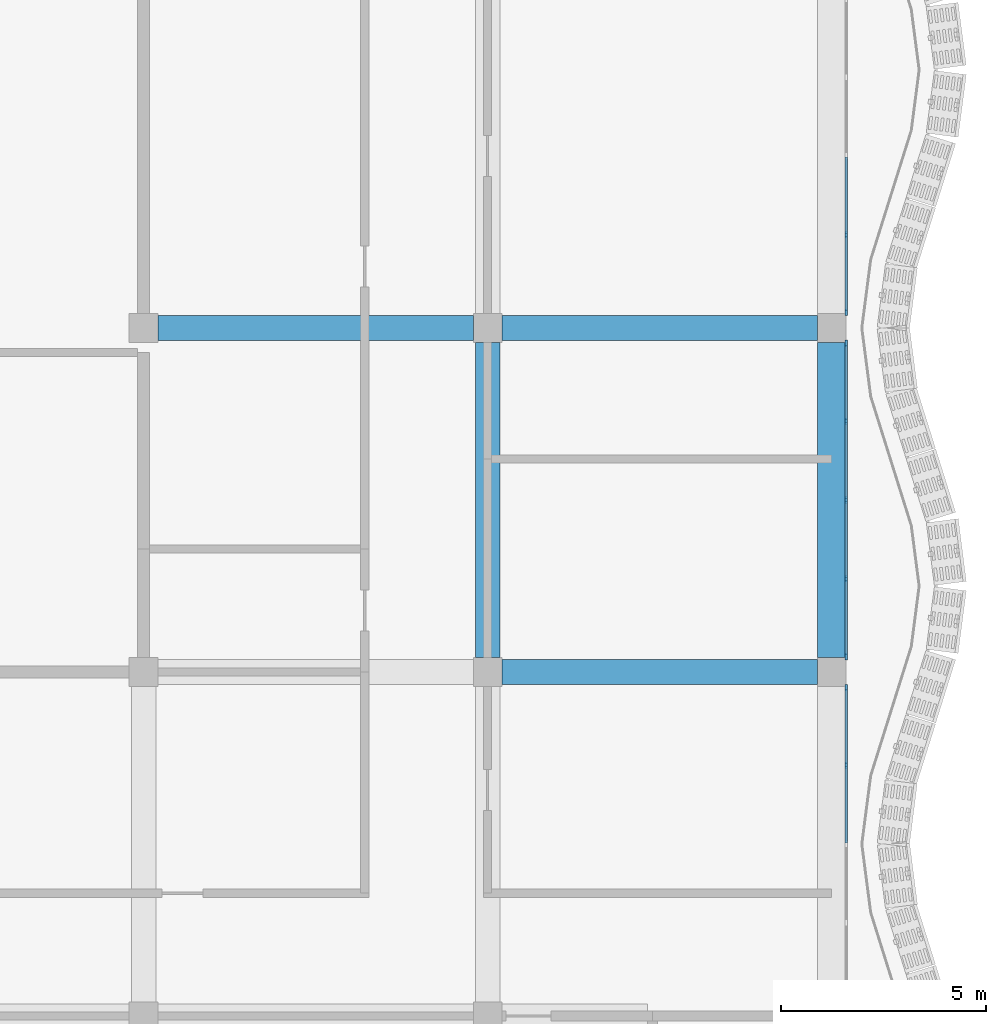
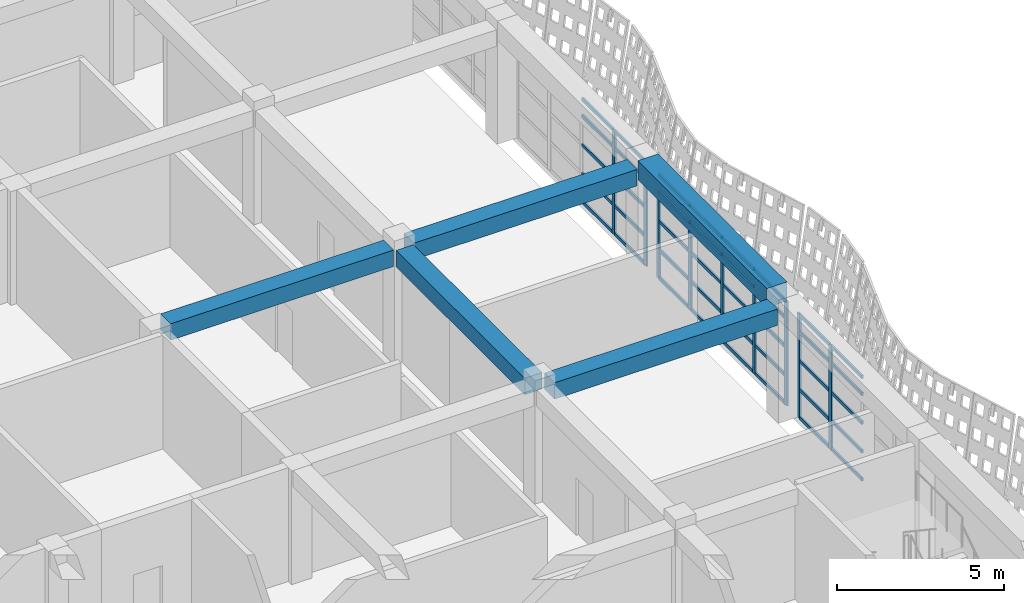
# One storey, part 7 of 163: 49 members, 5 beams, 3 elements without a shape of their own.
"""IFC4 building model written with IfcOpenShell, lengths in metres."""

from ifc_helpers import new_model, si_unit, direction, frame, origin, origin_2d, place, context, subcontext, project, spatial, rectangle, extrude, material, material_profile, profile_set, type_object, element, aggregate, save


model = new_model("IFC4")

# Units and contexts
model_context = context("Model", 3, precision=1e-05, world=origin(), true_north=direction((0.0, 1.0)))
body_context = subcontext(model_context, "Body", "Model", "MODEL_VIEW")
ifc_project = project(units=[si_unit("LENGTHUNIT", "METRE"), si_unit("AREAUNIT", "SQUARE_METRE"), si_unit("VOLUMEUNIT", "CUBIC_METRE"), si_unit("PLANEANGLEUNIT", "RADIAN"), si_unit("MASSUNIT", "GRAM", prefix="KILO")], contexts=[model_context])

# Site, building, storey
site_placement = place(None, origin())
site = spatial("IfcSite", under=ifc_project, at=site_placement, CompositionType="ELEMENT")
building_placement = place(site_placement, origin())
building = spatial("IfcBuilding", under=site, at=building_placement, Name="Rain Tree Exposition and Congress Centre", CompositionType="ELEMENT")
storey_placement = place(building_placement, frame((0.0, 0.0, 10.5)))
storey = spatial("IfcBuildingStorey", under=building, at=storey_placement, Name="L02", CompositionType="ELEMENT", Elevation=10.5)

# Beams
ifc_material_1 = material(Name="Precast concrete C50/60", Category="concrete")
ifc_material_profile_1 = material_profile(ifc_material_1, rectangle(XDim=0.60009765625, YDim=0.60009765625, at=origin_2d()), Name="RC 600x600")
ifc_profile_set_1 = profile_set([ifc_material_profile_1], Name="Precast concrete C50/60")
beam_type_1 = type_object("IfcBeamType", Name="Precast beam 600x600", PredefinedType="BEAM", material=ifc_profile_set_1)
for number, where, z_axis, x_axis, name in (
    (1, (42.35009765625, 16.800048828125, 3.85009765625), (1.0, 0.0, 0.0), (0.0, 1.0, 0.0), "wing/beam/L02/L03/031"),
    (2, (33.949951171875, 25.199951171875, 3.85009765625), (1.0, 0.0, 0.0), (0.0, 1.0, 0.0), "wing/beam/L02/L03/037"),
    (3, (42.35009765625, 25.199951171875, 3.85009765625), (1.0, 0.0, 0.0), (0.0, 1.0, 0.0), "wing/beam/L02/L03/039"),
):
    element("IfcBeam", number, at=place(storey_placement, frame(where, z_axis=z_axis, x_axis=x_axis)), inside=storey, type_object=beam_type_1, Name=name, PredefinedType="BEAM", context=body_context, shape_type="SweptSolid", body=[
        extrude(rectangle(XDim=0.60009765625, YDim=0.60009765625, at=origin_2d()), origin(), (0.0, 0.0, 1.0), 7.699951171875),
    ])
beam_1_placement = place(storey_placement, frame((42.0, 17.14990234375, 3.85009765625), z_axis=(0.0, 1.0, 0.0), x_axis=(-1.0, 0.0, 0.0)))
element("IfcBeam", 4, at=beam_1_placement, inside=storey, type_object=beam_type_1, Name="wing/beam/L02/L03/054", PredefinedType="BEAM", context=body_context, shape_type="SweptSolid", body=[
    extrude(rectangle(XDim=0.60009765625, YDim=0.60009765625, at=origin_2d()), origin(), (0.0, 0.0, 1.0), 7.7001953125),
])
ifc_material_2 = material(Name="Precast concrete C50/60", Category="concrete")
ifc_material_profile_2 = material_profile(ifc_material_2, rectangle(XDim=0.699951171875, YDim=0.699951171875, at=origin_2d()), Name="RC 700x700")
ifc_profile_set_2 = profile_set([ifc_material_profile_2], Name="Precast concrete C50/60")
beam_type_2 = type_object("IfcBeamType", Name="Precast spandrel beam 700x700", PredefinedType="SPANDREL", material=ifc_profile_set_2)
beam_2_placement = place(storey_placement, frame((50.39990234375, 17.14990234375, 4.14990234375), z_axis=(0.0, 1.0, 0.0), x_axis=(-1.0, 0.0, 0.0)))
element("IfcBeam", 5, at=beam_2_placement, inside=storey, type_object=beam_type_2, Name="wing/beam/L02/L03/066", PredefinedType="SPANDREL", context=body_context, shape_type="SweptSolid", body=[
    extrude(rectangle(XDim=0.699951171875, YDim=0.699951171875, at=origin_2d()), origin(), (0.0, 0.0, 1.0), 7.7001953125),
])

# Curtain wall, members
ifc_material_3 = material(Name="Aluminium curtain wall", Category="aluminium")
curtain_wall_type = type_object("IfcCurtainWallType", Name="Wing curtain wall 1925", PredefinedType="NOTDEFINED", material=ifc_material_3)
curtain_wall_1_placement = place(storey_placement, origin())
curtain_wall_1 = element("IfcCurtainWall", 6, at=curtain_wall_1_placement, inside=storey, type_object=curtain_wall_type, Name="Curtain wall CWW312", PredefinedType="NOTDEFINED")
ifc_material_4 = material(Name="Aluminium", Category="aluminium")
ifc_material_profile_3 = material_profile(ifc_material_4, rectangle(XDim=0.06005859375, YDim=0.159912109375, at=origin_2d()), Name="Aluminium 60x160")
ifc_profile_set_3 = profile_set([ifc_material_profile_3], Name="Aluminium")
member_type_1 = type_object("IfcMemberType", Name="Wing mullion 60x160", PredefinedType="MULLION", material=ifc_profile_set_3)
member_1_placement = place(storey_placement, frame((50.75, 14.52490234375, 0.0), z_axis=(0.0, 0.0, 1.0), x_axis=(-1.0, 0.0, 0.0)))
member_1 = element("IfcMember", 7, at=member_1_placement, type_object=member_type_1, Name="CWW312 mullion 4", PredefinedType="MULLION", context=body_context, shape_type="SweptSolid", body=[
    extrude(rectangle(XDim=0.06005859375, YDim=0.159912109375, at=origin_2d()), origin(), (0.0, 0.0, 1.0), 3.800048828125),
])
member_2_placement = place(storey_placement, frame((50.75, 16.419921875, 0.0), z_axis=(0.0, 0.0, 1.0), x_axis=(-1.0, 0.0, 0.0)))
member_2 = element("IfcMember", 8, at=member_2_placement, type_object=member_type_1, Name="CWW312 mullion 5", PredefinedType="MULLION", context=body_context, shape_type="SweptSolid", body=[
    extrude(rectangle(XDim=0.06005859375, YDim=0.159912109375, at=origin_2d()), origin(), (0.0, 0.0, 1.0), 3.800048828125),
])

curtain_wall_2_placement = place(storey_placement, origin())
curtain_wall_2 = element("IfcCurtainWall", 9, at=curtain_wall_2_placement, inside=storey, type_object=curtain_wall_type, Name="Curtain wall CWW313", PredefinedType="NOTDEFINED")
member_3_placement = place(storey_placement, frame((50.75, 17.179931640625, 0.0), z_axis=(0.0, 0.0, 1.0), x_axis=(-1.0, 0.0, 0.0)))
member_3 = element("IfcMember", 10, at=member_3_placement, type_object=member_type_1, Name="CWW313 mullion 1", PredefinedType="MULLION", context=body_context, shape_type="SweptSolid", body=[
    extrude(rectangle(XDim=0.06005859375, YDim=0.159912109375, at=origin_2d()), origin(), (0.0, 0.0, 1.0), 3.800048828125),
])
member_4_placement = place(storey_placement, frame((50.75, 19.074951171875, 0.0), z_axis=(0.0, 0.0, 1.0), x_axis=(-1.0, 0.0, 0.0)))
member_4 = element("IfcMember", 11, at=member_4_placement, type_object=member_type_1, Name="CWW313 mullion 2", PredefinedType="MULLION", context=body_context, shape_type="SweptSolid", body=[
    extrude(rectangle(XDim=0.06005859375, YDim=0.159912109375, at=origin_2d()), origin(), (0.0, 0.0, 1.0), 3.800048828125),
])
member_5_placement = place(storey_placement, frame((50.75, 21.0, 0.0), z_axis=(0.0, 0.0, 1.0), x_axis=(-1.0, 0.0, 0.0)))
member_5 = element("IfcMember", 12, at=member_5_placement, type_object=member_type_1, Name="CWW313 mullion 3", PredefinedType="MULLION", context=body_context, shape_type="SweptSolid", body=[
    extrude(rectangle(XDim=0.06005859375, YDim=0.159912109375, at=origin_2d()), origin(), (0.0, 0.0, 1.0), 3.800048828125),
])
member_6_placement = place(storey_placement, frame((50.75, 22.925048828125, 0.0), z_axis=(0.0, 0.0, 1.0), x_axis=(-1.0, 0.0, 0.0)))
member_6 = element("IfcMember", 13, at=member_6_placement, type_object=member_type_1, Name="CWW313 mullion 4", PredefinedType="MULLION", context=body_context, shape_type="SweptSolid", body=[
    extrude(rectangle(XDim=0.06005859375, YDim=0.159912109375, at=origin_2d()), origin(), (0.0, 0.0, 1.0), 3.800048828125),
])
member_7_placement = place(storey_placement, frame((50.75, 24.820068359375, 0.0), z_axis=(0.0, 0.0, 1.0), x_axis=(-1.0, 0.0, 0.0)))
member_7 = element("IfcMember", 14, at=member_7_placement, type_object=member_type_1, Name="CWW313 mullion 5", PredefinedType="MULLION", context=body_context, shape_type="SweptSolid", body=[
    extrude(rectangle(XDim=0.06005859375, YDim=0.159912109375, at=origin_2d()), origin(), (0.0, 0.0, 1.0), 3.800048828125),
])

curtain_wall_3_placement = place(storey_placement, origin())
curtain_wall_3 = element("IfcCurtainWall", 15, at=curtain_wall_3_placement, inside=storey, type_object=curtain_wall_type, Name="Curtain wall CWW314", PredefinedType="NOTDEFINED")
member_8_placement = place(storey_placement, frame((50.75, 25.580078125, 0.0), z_axis=(0.0, 0.0, 1.0), x_axis=(-1.0, 0.0, 0.0)))
member_8 = element("IfcMember", 16, at=member_8_placement, type_object=member_type_1, Name="CWW314 mullion 1", PredefinedType="MULLION", context=body_context, shape_type="SweptSolid", body=[
    extrude(rectangle(XDim=0.06005859375, YDim=0.159912109375, at=origin_2d()), origin(), (0.0, 0.0, 1.0), 3.800048828125),
])
member_9_placement = place(storey_placement, frame((50.75, 27.47509765625, 0.0), z_axis=(0.0, 0.0, 1.0), x_axis=(-1.0, 0.0, 0.0)))
member_9 = element("IfcMember", 17, at=member_9_placement, type_object=member_type_1, Name="CWW314 mullion 2", PredefinedType="MULLION", context=body_context, shape_type="SweptSolid", body=[
    extrude(rectangle(XDim=0.06005859375, YDim=0.159912109375, at=origin_2d()), origin(), (0.0, 0.0, 1.0), 3.800048828125),
])

# Member
ifc_material_5 = material(Name="Aluminium", Category="aluminium")
ifc_material_profile_4 = material_profile(ifc_material_5, rectangle(XDim=0.06005859375, YDim=0.1201171875, at=origin_2d()), Name="Aluminium 60x120")
ifc_profile_set_4 = profile_set([ifc_material_profile_4], Name="Aluminium")
member_type_2 = type_object("IfcMemberType", Name="Wing transom 60x120", PredefinedType="USERDEFINED", material=ifc_profile_set_4)
member_10_placement = place(storey_placement, frame((50.75, 12.6298828125, 0.030029296875), z_axis=(0.0, 1.0, 0.0), x_axis=(-1.0, 0.0, 0.0)))
member_10 = element("IfcMember", 18, at=member_10_placement, type_object=member_type_2, Name="CWW312 transom 3.1", ObjectType="TRANSOM", PredefinedType="USERDEFINED", context=body_context, shape_type="SweptSolid", body=[
    extrude(rectangle(XDim=0.06005859375, YDim=0.1201171875, at=origin_2d()), origin(), (0.0, 0.0, 1.0), 1.865234375),
])

member_11_placement = place(storey_placement, frame((50.75, 12.6298828125, 1.050048828125), z_axis=(0.0, 1.0, 0.0), x_axis=(-1.0, 0.0, 0.0)))
member_11 = element("IfcMember", 19, at=member_11_placement, type_object=member_type_2, Name="CWW312 transom 3.2", ObjectType="TRANSOM", PredefinedType="USERDEFINED", context=body_context, shape_type="SweptSolid", body=[
    extrude(rectangle(XDim=0.06005859375, YDim=0.1201171875, at=origin_2d()), origin(), (0.0, 0.0, 1.0), 1.865234375),
])

member_12_placement = place(storey_placement, frame((50.75, 12.6298828125, 2.10009765625), z_axis=(0.0, 1.0, 0.0), x_axis=(-1.0, 0.0, 0.0)))
member_12 = element("IfcMember", 20, at=member_12_placement, type_object=member_type_2, Name="CWW312 transom 3.3", ObjectType="TRANSOM", PredefinedType="USERDEFINED", context=body_context, shape_type="SweptSolid", body=[
    extrude(rectangle(XDim=0.06005859375, YDim=0.1201171875, at=origin_2d()), origin(), (0.0, 0.0, 1.0), 1.865234375),
])

member_13_placement = place(storey_placement, frame((50.75, 12.6298828125, 3.14990234375), z_axis=(0.0, 1.0, 0.0), x_axis=(-1.0, 0.0, 0.0)))
member_13 = element("IfcMember", 21, at=member_13_placement, type_object=member_type_2, Name="CWW312 transom 3.4", ObjectType="TRANSOM", PredefinedType="USERDEFINED", context=body_context, shape_type="SweptSolid", body=[
    extrude(rectangle(XDim=0.06005859375, YDim=0.1201171875, at=origin_2d()), origin(), (0.0, 0.0, 1.0), 1.865234375),
])

member_14_placement = place(storey_placement, frame((50.75, 12.6298828125, 3.77001953125), z_axis=(0.0, 1.0, 0.0), x_axis=(-1.0, 0.0, 0.0)))
member_14 = element("IfcMember", 22, at=member_14_placement, type_object=member_type_2, Name="CWW312 transom 3.5", ObjectType="TRANSOM", PredefinedType="USERDEFINED", context=body_context, shape_type="SweptSolid", body=[
    extrude(rectangle(XDim=0.06005859375, YDim=0.1201171875, at=origin_2d()), origin(), (0.0, 0.0, 1.0), 1.865234375),
])

member_15_placement = place(storey_placement, frame((50.75, 14.554931640625, 0.030029296875), z_axis=(0.0, 1.0, 0.0), x_axis=(-1.0, 0.0, 0.0)))
member_15 = element("IfcMember", 23, at=member_15_placement, type_object=member_type_2, Name="CWW312 transom 4.1", ObjectType="TRANSOM", PredefinedType="USERDEFINED", context=body_context, shape_type="SweptSolid", body=[
    extrude(rectangle(XDim=0.06005859375, YDim=0.1201171875, at=origin_2d()), origin(), (0.0, 0.0, 1.0), 1.8349609375),
])

member_16_placement = place(storey_placement, frame((50.75, 14.554931640625, 1.050048828125), z_axis=(0.0, 1.0, 0.0), x_axis=(-1.0, 0.0, 0.0)))
member_16 = element("IfcMember", 24, at=member_16_placement, type_object=member_type_2, Name="CWW312 transom 4.2", ObjectType="TRANSOM", PredefinedType="USERDEFINED", context=body_context, shape_type="SweptSolid", body=[
    extrude(rectangle(XDim=0.06005859375, YDim=0.1201171875, at=origin_2d()), origin(), (0.0, 0.0, 1.0), 1.8349609375),
])

member_17_placement = place(storey_placement, frame((50.75, 14.554931640625, 2.10009765625), z_axis=(0.0, 1.0, 0.0), x_axis=(-1.0, 0.0, 0.0)))
member_17 = element("IfcMember", 25, at=member_17_placement, type_object=member_type_2, Name="CWW312 transom 4.3", ObjectType="TRANSOM", PredefinedType="USERDEFINED", context=body_context, shape_type="SweptSolid", body=[
    extrude(rectangle(XDim=0.06005859375, YDim=0.1201171875, at=origin_2d()), origin(), (0.0, 0.0, 1.0), 1.8349609375),
])

member_18_placement = place(storey_placement, frame((50.75, 14.554931640625, 3.14990234375), z_axis=(0.0, 1.0, 0.0), x_axis=(-1.0, 0.0, 0.0)))
member_18 = element("IfcMember", 26, at=member_18_placement, type_object=member_type_2, Name="CWW312 transom 4.4", ObjectType="TRANSOM", PredefinedType="USERDEFINED", context=body_context, shape_type="SweptSolid", body=[
    extrude(rectangle(XDim=0.06005859375, YDim=0.1201171875, at=origin_2d()), origin(), (0.0, 0.0, 1.0), 1.8349609375),
])

member_19_placement = place(storey_placement, frame((50.75, 14.554931640625, 3.77001953125), z_axis=(0.0, 1.0, 0.0), x_axis=(-1.0, 0.0, 0.0)))
member_19 = element("IfcMember", 27, at=member_19_placement, type_object=member_type_2, Name="CWW312 transom 4.5", ObjectType="TRANSOM", PredefinedType="USERDEFINED", context=body_context, shape_type="SweptSolid", body=[
    extrude(rectangle(XDim=0.06005859375, YDim=0.1201171875, at=origin_2d()), origin(), (0.0, 0.0, 1.0), 1.8349609375),
])

aggregate(curtain_wall_1, [member_1, member_2, member_10, member_11, member_12, member_13, member_14, member_15, member_16, member_17, member_18, member_19])

member_20_placement = place(storey_placement, frame((50.75, 17.2099609375, 0.030029296875), z_axis=(0.0, 1.0, 0.0), x_axis=(-1.0, 0.0, 0.0)))
member_20 = element("IfcMember", 28, at=member_20_placement, type_object=member_type_2, Name="CWW313 transom 1.1", ObjectType="TRANSOM", PredefinedType="USERDEFINED", context=body_context, shape_type="SweptSolid", body=[
    extrude(rectangle(XDim=0.06005859375, YDim=0.1201171875, at=origin_2d()), origin(), (0.0, 0.0, 1.0), 1.8349609375),
])

member_21_placement = place(storey_placement, frame((50.75, 17.2099609375, 1.050048828125), z_axis=(0.0, 1.0, 0.0), x_axis=(-1.0, 0.0, 0.0)))
member_21 = element("IfcMember", 29, at=member_21_placement, type_object=member_type_2, Name="CWW313 transom 1.2", ObjectType="TRANSOM", PredefinedType="USERDEFINED", context=body_context, shape_type="SweptSolid", body=[
    extrude(rectangle(XDim=0.06005859375, YDim=0.1201171875, at=origin_2d()), origin(), (0.0, 0.0, 1.0), 1.8349609375),
])

member_22_placement = place(storey_placement, frame((50.75, 17.2099609375, 2.10009765625), z_axis=(0.0, 1.0, 0.0), x_axis=(-1.0, 0.0, 0.0)))
member_22 = element("IfcMember", 30, at=member_22_placement, type_object=member_type_2, Name="CWW313 transom 1.3", ObjectType="TRANSOM", PredefinedType="USERDEFINED", context=body_context, shape_type="SweptSolid", body=[
    extrude(rectangle(XDim=0.06005859375, YDim=0.1201171875, at=origin_2d()), origin(), (0.0, 0.0, 1.0), 1.8349609375),
])

member_23_placement = place(storey_placement, frame((50.75, 17.2099609375, 3.14990234375), z_axis=(0.0, 1.0, 0.0), x_axis=(-1.0, 0.0, 0.0)))
member_23 = element("IfcMember", 31, at=member_23_placement, type_object=member_type_2, Name="CWW313 transom 1.4", ObjectType="TRANSOM", PredefinedType="USERDEFINED", context=body_context, shape_type="SweptSolid", body=[
    extrude(rectangle(XDim=0.06005859375, YDim=0.1201171875, at=origin_2d()), origin(), (0.0, 0.0, 1.0), 1.8349609375),
])

member_24_placement = place(storey_placement, frame((50.75, 17.2099609375, 3.77001953125), z_axis=(0.0, 1.0, 0.0), x_axis=(-1.0, 0.0, 0.0)))
member_24 = element("IfcMember", 32, at=member_24_placement, type_object=member_type_2, Name="CWW313 transom 1.5", ObjectType="TRANSOM", PredefinedType="USERDEFINED", context=body_context, shape_type="SweptSolid", body=[
    extrude(rectangle(XDim=0.06005859375, YDim=0.1201171875, at=origin_2d()), origin(), (0.0, 0.0, 1.0), 1.8349609375),
])

member_25_placement = place(storey_placement, frame((50.75, 19.10498046875, 0.030029296875), z_axis=(0.0, 1.0, 0.0), x_axis=(-1.0, 0.0, 0.0)))
member_25 = element("IfcMember", 33, at=member_25_placement, type_object=member_type_2, Name="CWW313 transom 2.1", ObjectType="TRANSOM", PredefinedType="USERDEFINED", context=body_context, shape_type="SweptSolid", body=[
    extrude(rectangle(XDim=0.06005859375, YDim=0.1201171875, at=origin_2d()), origin(), (0.0, 0.0, 1.0), 1.864990234375),
])

member_26_placement = place(storey_placement, frame((50.75, 19.10498046875, 1.050048828125), z_axis=(0.0, 1.0, 0.0), x_axis=(-1.0, 0.0, 0.0)))
member_26 = element("IfcMember", 34, at=member_26_placement, type_object=member_type_2, Name="CWW313 transom 2.2", ObjectType="TRANSOM", PredefinedType="USERDEFINED", context=body_context, shape_type="SweptSolid", body=[
    extrude(rectangle(XDim=0.06005859375, YDim=0.1201171875, at=origin_2d()), origin(), (0.0, 0.0, 1.0), 1.864990234375),
])

member_27_placement = place(storey_placement, frame((50.75, 19.10498046875, 2.10009765625), z_axis=(0.0, 1.0, 0.0), x_axis=(-1.0, 0.0, 0.0)))
member_27 = element("IfcMember", 35, at=member_27_placement, type_object=member_type_2, Name="CWW313 transom 2.3", ObjectType="TRANSOM", PredefinedType="USERDEFINED", context=body_context, shape_type="SweptSolid", body=[
    extrude(rectangle(XDim=0.06005859375, YDim=0.1201171875, at=origin_2d()), origin(), (0.0, 0.0, 1.0), 1.864990234375),
])

member_28_placement = place(storey_placement, frame((50.75, 19.10498046875, 3.14990234375), z_axis=(0.0, 1.0, 0.0), x_axis=(-1.0, 0.0, 0.0)))
member_28 = element("IfcMember", 36, at=member_28_placement, type_object=member_type_2, Name="CWW313 transom 2.4", ObjectType="TRANSOM", PredefinedType="USERDEFINED", context=body_context, shape_type="SweptSolid", body=[
    extrude(rectangle(XDim=0.06005859375, YDim=0.1201171875, at=origin_2d()), origin(), (0.0, 0.0, 1.0), 1.864990234375),
])

member_29_placement = place(storey_placement, frame((50.75, 19.10498046875, 3.77001953125), z_axis=(0.0, 1.0, 0.0), x_axis=(-1.0, 0.0, 0.0)))
member_29 = element("IfcMember", 37, at=member_29_placement, type_object=member_type_2, Name="CWW313 transom 2.5", ObjectType="TRANSOM", PredefinedType="USERDEFINED", context=body_context, shape_type="SweptSolid", body=[
    extrude(rectangle(XDim=0.06005859375, YDim=0.1201171875, at=origin_2d()), origin(), (0.0, 0.0, 1.0), 1.864990234375),
])

member_30_placement = place(storey_placement, frame((50.75, 21.030029296875, 0.030029296875), z_axis=(0.0, 1.0, 0.0), x_axis=(-1.0, 0.0, 0.0)))
member_30 = element("IfcMember", 38, at=member_30_placement, type_object=member_type_2, Name="CWW313 transom 3.1", ObjectType="TRANSOM", PredefinedType="USERDEFINED", context=body_context, shape_type="SweptSolid", body=[
    extrude(rectangle(XDim=0.06005859375, YDim=0.1201171875, at=origin_2d()), origin(), (0.0, 0.0, 1.0), 1.864990234375),
])

member_31_placement = place(storey_placement, frame((50.75, 21.030029296875, 1.050048828125), z_axis=(0.0, 1.0, 0.0), x_axis=(-1.0, 0.0, 0.0)))
member_31 = element("IfcMember", 39, at=member_31_placement, type_object=member_type_2, Name="CWW313 transom 3.2", ObjectType="TRANSOM", PredefinedType="USERDEFINED", context=body_context, shape_type="SweptSolid", body=[
    extrude(rectangle(XDim=0.06005859375, YDim=0.1201171875, at=origin_2d()), origin(), (0.0, 0.0, 1.0), 1.864990234375),
])

member_32_placement = place(storey_placement, frame((50.75, 21.030029296875, 2.10009765625), z_axis=(0.0, 1.0, 0.0), x_axis=(-1.0, 0.0, 0.0)))
member_32 = element("IfcMember", 40, at=member_32_placement, type_object=member_type_2, Name="CWW313 transom 3.3", ObjectType="TRANSOM", PredefinedType="USERDEFINED", context=body_context, shape_type="SweptSolid", body=[
    extrude(rectangle(XDim=0.06005859375, YDim=0.1201171875, at=origin_2d()), origin(), (0.0, 0.0, 1.0), 1.864990234375),
])

member_33_placement = place(storey_placement, frame((50.75, 21.030029296875, 3.14990234375), z_axis=(0.0, 1.0, 0.0), x_axis=(-1.0, 0.0, 0.0)))
member_33 = element("IfcMember", 41, at=member_33_placement, type_object=member_type_2, Name="CWW313 transom 3.4", ObjectType="TRANSOM", PredefinedType="USERDEFINED", context=body_context, shape_type="SweptSolid", body=[
    extrude(rectangle(XDim=0.06005859375, YDim=0.1201171875, at=origin_2d()), origin(), (0.0, 0.0, 1.0), 1.864990234375),
])

member_34_placement = place(storey_placement, frame((50.75, 21.030029296875, 3.77001953125), z_axis=(0.0, 1.0, 0.0), x_axis=(-1.0, 0.0, 0.0)))
member_34 = element("IfcMember", 42, at=member_34_placement, type_object=member_type_2, Name="CWW313 transom 3.5", ObjectType="TRANSOM", PredefinedType="USERDEFINED", context=body_context, shape_type="SweptSolid", body=[
    extrude(rectangle(XDim=0.06005859375, YDim=0.1201171875, at=origin_2d()), origin(), (0.0, 0.0, 1.0), 1.864990234375),
])

member_35_placement = place(storey_placement, frame((50.75, 22.955078125, 0.030029296875), z_axis=(0.0, 1.0, 0.0), x_axis=(-1.0, 0.0, 0.0)))
member_35 = element("IfcMember", 43, at=member_35_placement, type_object=member_type_2, Name="CWW313 transom 4.1", ObjectType="TRANSOM", PredefinedType="USERDEFINED", context=body_context, shape_type="SweptSolid", body=[
    extrude(rectangle(XDim=0.06005859375, YDim=0.1201171875, at=origin_2d()), origin(), (0.0, 0.0, 1.0), 1.8349609375),
])

member_36_placement = place(storey_placement, frame((50.75, 22.955078125, 1.050048828125), z_axis=(0.0, 1.0, 0.0), x_axis=(-1.0, 0.0, 0.0)))
member_36 = element("IfcMember", 44, at=member_36_placement, type_object=member_type_2, Name="CWW313 transom 4.2", ObjectType="TRANSOM", PredefinedType="USERDEFINED", context=body_context, shape_type="SweptSolid", body=[
    extrude(rectangle(XDim=0.06005859375, YDim=0.1201171875, at=origin_2d()), origin(), (0.0, 0.0, 1.0), 1.8349609375),
])

member_37_placement = place(storey_placement, frame((50.75, 22.955078125, 2.10009765625), z_axis=(0.0, 1.0, 0.0), x_axis=(-1.0, 0.0, 0.0)))
member_37 = element("IfcMember", 45, at=member_37_placement, type_object=member_type_2, Name="CWW313 transom 4.3", ObjectType="TRANSOM", PredefinedType="USERDEFINED", context=body_context, shape_type="SweptSolid", body=[
    extrude(rectangle(XDim=0.06005859375, YDim=0.1201171875, at=origin_2d()), origin(), (0.0, 0.0, 1.0), 1.8349609375),
])

member_38_placement = place(storey_placement, frame((50.75, 22.955078125, 3.14990234375), z_axis=(0.0, 1.0, 0.0), x_axis=(-1.0, 0.0, 0.0)))
member_38 = element("IfcMember", 46, at=member_38_placement, type_object=member_type_2, Name="CWW313 transom 4.4", ObjectType="TRANSOM", PredefinedType="USERDEFINED", context=body_context, shape_type="SweptSolid", body=[
    extrude(rectangle(XDim=0.06005859375, YDim=0.1201171875, at=origin_2d()), origin(), (0.0, 0.0, 1.0), 1.8349609375),
])

member_39_placement = place(storey_placement, frame((50.75, 22.955078125, 3.77001953125), z_axis=(0.0, 1.0, 0.0), x_axis=(-1.0, 0.0, 0.0)))
member_39 = element("IfcMember", 47, at=member_39_placement, type_object=member_type_2, Name="CWW313 transom 4.5", ObjectType="TRANSOM", PredefinedType="USERDEFINED", context=body_context, shape_type="SweptSolid", body=[
    extrude(rectangle(XDim=0.06005859375, YDim=0.1201171875, at=origin_2d()), origin(), (0.0, 0.0, 1.0), 1.8349609375),
])

aggregate(curtain_wall_2, [member_3, member_4, member_5, member_6, member_7, member_20, member_21, member_22, member_23, member_24, member_25, member_26, member_27, member_28, member_29, member_30, member_31, member_32, member_33, member_34, member_35, member_36, member_37, member_38, member_39])

member_40_placement = place(storey_placement, frame((50.75, 25.610107421875, 0.030029296875), z_axis=(0.0, 1.0, 0.0), x_axis=(-1.0, 0.0, 0.0)))
member_40 = element("IfcMember", 48, at=member_40_placement, type_object=member_type_2, Name="CWW314 transom 1.1", ObjectType="TRANSOM", PredefinedType="USERDEFINED", context=body_context, shape_type="SweptSolid", body=[
    extrude(rectangle(XDim=0.06005859375, YDim=0.1201171875, at=origin_2d()), origin(), (0.0, 0.0, 1.0), 1.8349609375),
])

member_41_placement = place(storey_placement, frame((50.75, 25.610107421875, 1.050048828125), z_axis=(0.0, 1.0, 0.0), x_axis=(-1.0, 0.0, 0.0)))
member_41 = element("IfcMember", 49, at=member_41_placement, type_object=member_type_2, Name="CWW314 transom 1.2", ObjectType="TRANSOM", PredefinedType="USERDEFINED", context=body_context, shape_type="SweptSolid", body=[
    extrude(rectangle(XDim=0.06005859375, YDim=0.1201171875, at=origin_2d()), origin(), (0.0, 0.0, 1.0), 1.8349609375),
])

member_42_placement = place(storey_placement, frame((50.75, 25.610107421875, 2.10009765625), z_axis=(0.0, 1.0, 0.0), x_axis=(-1.0, 0.0, 0.0)))
member_42 = element("IfcMember", 50, at=member_42_placement, type_object=member_type_2, Name="CWW314 transom 1.3", ObjectType="TRANSOM", PredefinedType="USERDEFINED", context=body_context, shape_type="SweptSolid", body=[
    extrude(rectangle(XDim=0.06005859375, YDim=0.1201171875, at=origin_2d()), origin(), (0.0, 0.0, 1.0), 1.8349609375),
])

member_43_placement = place(storey_placement, frame((50.75, 25.610107421875, 3.14990234375), z_axis=(0.0, 1.0, 0.0), x_axis=(-1.0, 0.0, 0.0)))
member_43 = element("IfcMember", 51, at=member_43_placement, type_object=member_type_2, Name="CWW314 transom 1.4", ObjectType="TRANSOM", PredefinedType="USERDEFINED", context=body_context, shape_type="SweptSolid", body=[
    extrude(rectangle(XDim=0.06005859375, YDim=0.1201171875, at=origin_2d()), origin(), (0.0, 0.0, 1.0), 1.8349609375),
])

member_44_placement = place(storey_placement, frame((50.75, 25.610107421875, 3.77001953125), z_axis=(0.0, 1.0, 0.0), x_axis=(-1.0, 0.0, 0.0)))
member_44 = element("IfcMember", 52, at=member_44_placement, type_object=member_type_2, Name="CWW314 transom 1.5", ObjectType="TRANSOM", PredefinedType="USERDEFINED", context=body_context, shape_type="SweptSolid", body=[
    extrude(rectangle(XDim=0.06005859375, YDim=0.1201171875, at=origin_2d()), origin(), (0.0, 0.0, 1.0), 1.8349609375),
])

member_45_placement = place(storey_placement, frame((50.75, 27.5048828125, 0.030029296875), z_axis=(0.0, 1.0, 0.0), x_axis=(-1.0, 0.0, 0.0)))
member_45 = element("IfcMember", 53, at=member_45_placement, type_object=member_type_2, Name="CWW314 transom 2.1", ObjectType="TRANSOM", PredefinedType="USERDEFINED", context=body_context, shape_type="SweptSolid", body=[
    extrude(rectangle(XDim=0.06005859375, YDim=0.1201171875, at=origin_2d()), origin(), (0.0, 0.0, 1.0), 1.865234375),
])

member_46_placement = place(storey_placement, frame((50.75, 27.5048828125, 1.050048828125), z_axis=(0.0, 1.0, 0.0), x_axis=(-1.0, 0.0, 0.0)))
member_46 = element("IfcMember", 54, at=member_46_placement, type_object=member_type_2, Name="CWW314 transom 2.2", ObjectType="TRANSOM", PredefinedType="USERDEFINED", context=body_context, shape_type="SweptSolid", body=[
    extrude(rectangle(XDim=0.06005859375, YDim=0.1201171875, at=origin_2d()), origin(), (0.0, 0.0, 1.0), 1.865234375),
])

member_47_placement = place(storey_placement, frame((50.75, 27.5048828125, 2.10009765625), z_axis=(0.0, 1.0, 0.0), x_axis=(-1.0, 0.0, 0.0)))
member_47 = element("IfcMember", 55, at=member_47_placement, type_object=member_type_2, Name="CWW314 transom 2.3", ObjectType="TRANSOM", PredefinedType="USERDEFINED", context=body_context, shape_type="SweptSolid", body=[
    extrude(rectangle(XDim=0.06005859375, YDim=0.1201171875, at=origin_2d()), origin(), (0.0, 0.0, 1.0), 1.865234375),
])

member_48_placement = place(storey_placement, frame((50.75, 27.5048828125, 3.14990234375), z_axis=(0.0, 1.0, 0.0), x_axis=(-1.0, 0.0, 0.0)))
member_48 = element("IfcMember", 56, at=member_48_placement, type_object=member_type_2, Name="CWW314 transom 2.4", ObjectType="TRANSOM", PredefinedType="USERDEFINED", context=body_context, shape_type="SweptSolid", body=[
    extrude(rectangle(XDim=0.06005859375, YDim=0.1201171875, at=origin_2d()), origin(), (0.0, 0.0, 1.0), 1.865234375),
])

member_49_placement = place(storey_placement, frame((50.75, 27.5048828125, 3.77001953125), z_axis=(0.0, 1.0, 0.0), x_axis=(-1.0, 0.0, 0.0)))
member_49 = element("IfcMember", 57, at=member_49_placement, type_object=member_type_2, Name="CWW314 transom 2.5", ObjectType="TRANSOM", PredefinedType="USERDEFINED", context=body_context, shape_type="SweptSolid", body=[
    extrude(rectangle(XDim=0.06005859375, YDim=0.1201171875, at=origin_2d()), origin(), (0.0, 0.0, 1.0), 1.865234375),
])

aggregate(curtain_wall_3, [member_8, member_9, member_40, member_41, member_42, member_43, member_44, member_45, member_46, member_47, member_48, member_49])

save(model, "model.ifc")
